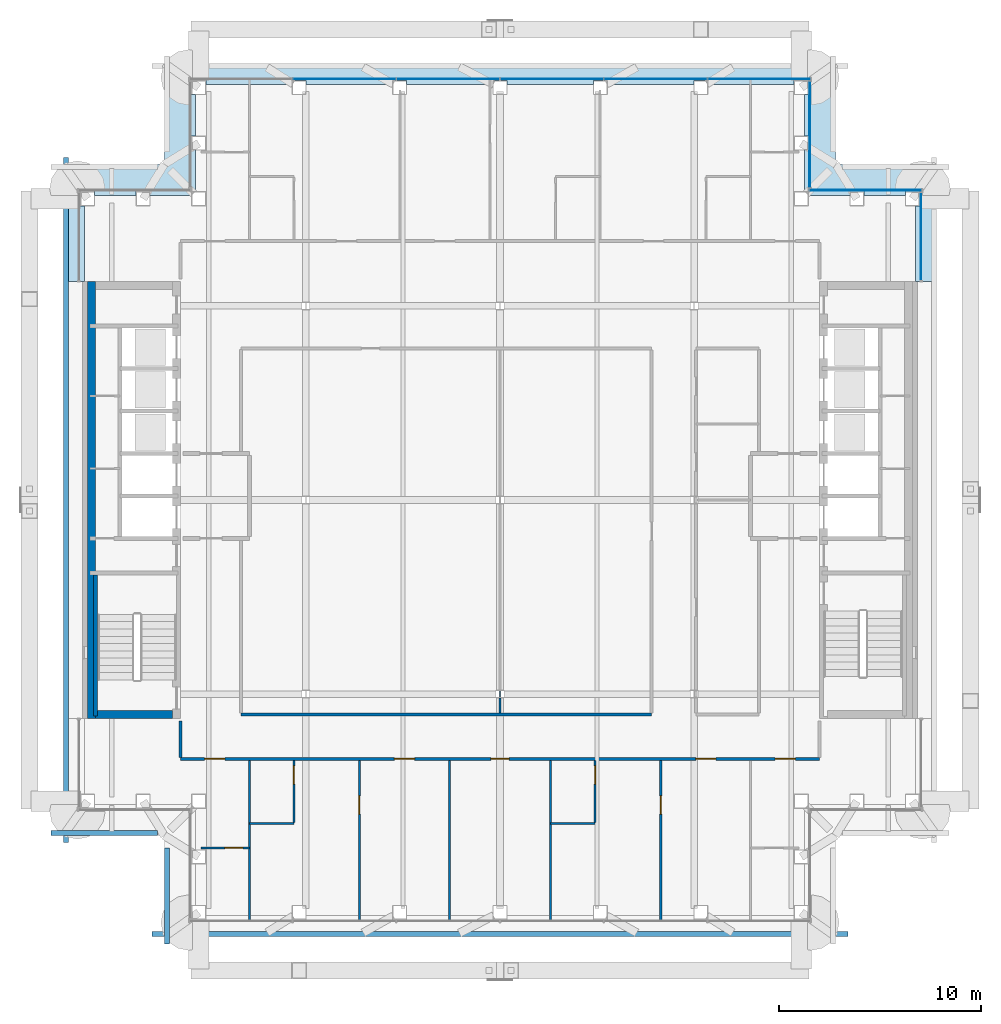
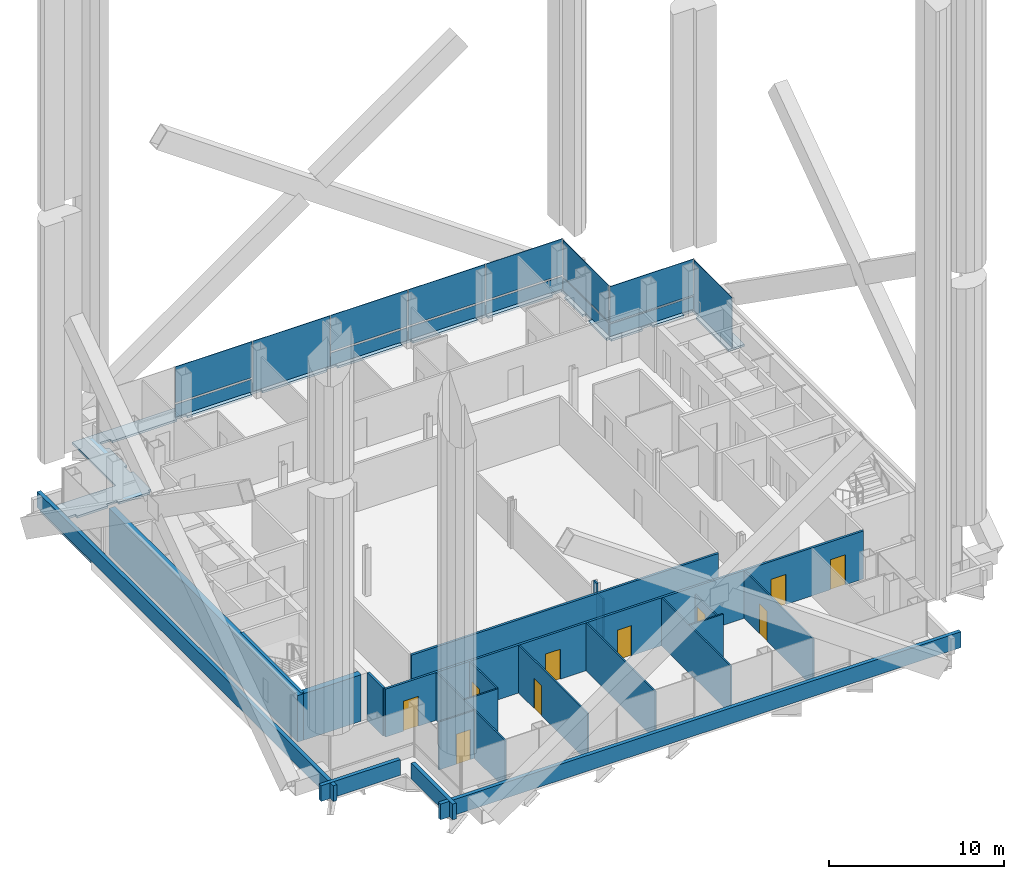
# One storey, part 13 of 22: 22 walls, 14 plates, 10 doors, 1 slab, 10 openings, 4 elements without a shape of their own.
"""IFC4 building model written with IfcOpenShell, lengths in metres."""

from ifc_helpers import new_model, si_unit, direction, frame, frame_2d, origin, origin_2d, place, context, subcontext, project, spatial, polyline, rectangle, outline, extrude, material, layer, layer_set, type_object, element, fill, aggregate, save


model = new_model("IFC4")

# Units and contexts
model_context = context("Model", 3, precision=1e-05, world=origin(), true_north=direction((0.0, 1.0)))
body_context = subcontext(model_context, "Body", "Model", "MODEL_VIEW")
ifc_project = project(units=[si_unit("LENGTHUNIT", "METRE"), si_unit("AREAUNIT", "SQUARE_METRE"), si_unit("VOLUMEUNIT", "CUBIC_METRE"), si_unit("PLANEANGLEUNIT", "RADIAN"), si_unit("MASSUNIT", "GRAM", prefix="KILO")], contexts=[model_context])

# Site, building, storey
site_placement = place(None, origin())
site = spatial("IfcSite", under=ifc_project, at=site_placement, CompositionType="ELEMENT")
building_placement = place(site_placement, origin())
building = spatial("IfcBuilding", under=site, at=building_placement, Name="Cobrizo Arcos Hotel Tower", CompositionType="ELEMENT")
storey_placement = place(building_placement, frame((0.0, 0.0, 191.0)))
storey = spatial("IfcBuildingStorey", under=building, at=storey_placement, Name="L49", CompositionType="ELEMENT", Elevation=191.0)

# Curtain wall, plate
ifc_material_1 = material(Name="Aluminium 6063-T6 anodised bronze", Category="aluminium")
curtain_wall_type = type_object("IfcCurtainWallType", Name="CW-A guest facade", PredefinedType="NOTDEFINED", material=ifc_material_1)
curtain_wall_1_placement = place(storey_placement, origin())
curtain_wall_1 = element("IfcCurtainWall", 1, at=curtain_wall_1_placement, inside=storey, type_object=curtain_wall_type, Name="CW-A L49 N face", PredefinedType="NOTDEFINED")
ifc_material_2 = material(Name="Glass clear laminated low-e", Category="glass")
ifc_layer_1 = layer(ifc_material_2, 0.0400390625)
ifc_layer_set_1 = layer_set([ifc_layer_1], Name="CW-A glass panel")
plate_type_1 = type_object("IfcPlateType", Name="CW-A glass panel", PredefinedType="CURTAIN_PANEL", material=ifc_layer_set_1)
plate_1_placement = place(storey_placement, frame((18.074951171875, 15.324951171875, 0.990234375), z_axis=(0.0, 0.0, 1.0), x_axis=(-1.0, 0.0, 0.0)))
plate_1 = element("IfcPlate", 2, at=plate_1_placement, type_object=plate_type_1, Name="CW-A glass panel 1706", PredefinedType="CURTAIN_PANEL", context=body_context, shape_type="SweptSolid", body=[
    extrude(rectangle(XDim=5.530029296875, YDim=0.0400390625, at=origin_2d()), origin(), (0.0, 0.0, 1.0), 2.510009765625),
])

curtain_wall_2_placement = place(storey_placement, origin())
curtain_wall_2 = element("IfcCurtainWall", 3, at=curtain_wall_2_placement, inside=storey, type_object=curtain_wall_type, Name="CW-A L49 E face", PredefinedType="NOTDEFINED")
plate_2_placement = place(storey_placement, frame((15.324951171875, 18.074951171875, 0.990234375), z_axis=(0.0, 0.0, 1.0), x_axis=(0.0, 1.0, 0.0)))
plate_2 = element("IfcPlate", 4, at=plate_2_placement, type_object=plate_type_1, Name="CW-A glass panel 1707", PredefinedType="CURTAIN_PANEL", context=body_context, shape_type="SweptSolid", body=[
    extrude(rectangle(XDim=5.22998046875, YDim=0.0400390625, at=origin_2d()), origin(), (0.0, 0.0, 1.0), 2.510009765625),
])

# Curtain wall, plates
curtain_wall_3_placement = place(storey_placement, origin())
curtain_wall_3 = element("IfcCurtainWall", 5, at=curtain_wall_3_placement, inside=storey, type_object=curtain_wall_type, Name="CW-A L49 N face", PredefinedType="NOTDEFINED")
plate_3_placement = place(storey_placement, frame((12.818359375, 20.824951171875, 0.990234375), z_axis=(0.0, 0.0, 1.0), x_axis=(-1.0, 0.0, 0.0)))
plate_3 = element("IfcPlate", 6, at=plate_3_placement, type_object=plate_type_1, Name="CW-A glass panel 1708", PredefinedType="CURTAIN_PANEL", context=body_context, shape_type="SweptSolid", body=[
    extrude(rectangle(XDim=5.043212890625, YDim=0.0400390625, at=origin_2d()), origin(), (0.0, 0.0, 1.0), 2.510009765625),
])
plate_4_placement = place(storey_placement, frame((7.699951171875, 20.824951171875, 0.990234375), z_axis=(0.0, 0.0, 1.0), x_axis=(-1.0, 0.0, 0.0)))
plate_4 = element("IfcPlate", 7, at=plate_4_placement, type_object=plate_type_1, Name="CW-A glass panel 1709", PredefinedType="CURTAIN_PANEL", context=body_context, shape_type="SweptSolid", body=[
    extrude(rectangle(XDim=5.0732421875, YDim=0.0400390625, at=origin_2d()), origin(), (0.0, 0.0, 1.0), 2.510009765625),
])
plate_5_placement = place(storey_placement, frame((2.566650390625, 20.824951171875, 0.990234375), z_axis=(0.0, 0.0, 1.0), x_axis=(-1.0, 0.0, 0.0)))
plate_5 = element("IfcPlate", 8, at=plate_5_placement, type_object=plate_type_1, Name="CW-A glass panel 1710", PredefinedType="CURTAIN_PANEL", context=body_context, shape_type="SweptSolid", body=[
    extrude(rectangle(XDim=5.0732421875, YDim=0.0400390625, at=origin_2d()), origin(), (0.0, 0.0, 1.0), 2.510009765625),
])
plate_6_placement = place(storey_placement, frame((-7.699951171875, 20.824951171875, 0.990234375), z_axis=(0.0, 0.0, 1.0), x_axis=(-1.0, 0.0, 0.0)))
plate_6 = element("IfcPlate", 9, at=plate_6_placement, type_object=plate_type_1, Name="CW-A glass panel 1712", PredefinedType="CURTAIN_PANEL", context=body_context, shape_type="SweptSolid", body=[
    extrude(rectangle(XDim=5.0732421875, YDim=0.0400390625, at=origin_2d()), origin(), (0.0, 0.0, 1.0), 2.510009765625),
])

# Curtain wall, plate
curtain_wall_4_placement = place(storey_placement, origin())
curtain_wall_4 = element("IfcCurtainWall", 10, at=curtain_wall_4_placement, inside=storey, type_object=curtain_wall_type, Name="CW-A L49 E face", PredefinedType="NOTDEFINED")
ifc_material_3 = material(Name="Aluminium composite panel pale metal", Category="aluminium")
ifc_layer_2 = layer(ifc_material_3, 0.0400390625)
ifc_layer_set_2 = layer_set([ifc_layer_2], Name="CW-A spandrel panel")
plate_type_2 = type_object("IfcPlateType", Name="CW-A spandrel panel", PredefinedType="CURTAIN_PANEL", material=ifc_layer_set_2)
plate_7_placement = place(storey_placement, frame((20.824951171875, 13.02490234375, 0.0), z_axis=(0.0, 0.0, 1.0), x_axis=(0.0, 1.0, 0.0)))
plate_7 = element("IfcPlate", 11, at=plate_7_placement, type_object=plate_type_2, Name="CW-A spandrel panel 1705", PredefinedType="CURTAIN_PANEL", context=body_context, shape_type="SweptSolid", body=[
    extrude(rectangle(XDim=4.330078125, YDim=0.0400390625, at=origin_2d()), origin(), (0.0, 0.0, 1.0), 3.5),
])
aggregate(curtain_wall_4, [plate_7])

# Plate
plate_8_placement = place(storey_placement, frame((18.074951171875, 15.324951171875, 0.0), z_axis=(0.0, 0.0, 1.0), x_axis=(-1.0, 0.0, 0.0)))
plate_8 = element("IfcPlate", 12, at=plate_8_placement, type_object=plate_type_2, Name="CW-A spandrel panel 1706", PredefinedType="CURTAIN_PANEL", context=body_context, shape_type="SweptSolid", body=[
    extrude(rectangle(XDim=5.530029296875, YDim=0.0400390625, at=origin_2d()), origin(), (0.0, 0.0, 1.0), 0.8701171875),
])

aggregate(curtain_wall_1, [plate_8, plate_1])

plate_9_placement = place(storey_placement, frame((15.324951171875, 18.074951171875, 0.0), z_axis=(0.0, 0.0, 1.0), x_axis=(0.0, 1.0, 0.0)))
plate_9 = element("IfcPlate", 13, at=plate_9_placement, type_object=plate_type_2, Name="CW-A spandrel panel 1707", PredefinedType="CURTAIN_PANEL", context=body_context, shape_type="SweptSolid", body=[
    extrude(rectangle(XDim=5.22998046875, YDim=0.0400390625, at=origin_2d()), origin(), (0.0, 0.0, 1.0), 0.8701171875),
])

aggregate(curtain_wall_2, [plate_9, plate_2])

plate_10_placement = place(storey_placement, frame((12.818359375, 20.824951171875, 0.0), z_axis=(0.0, 0.0, 1.0), x_axis=(-1.0, 0.0, 0.0)))
plate_10 = element("IfcPlate", 14, at=plate_10_placement, type_object=plate_type_2, Name="CW-A spandrel panel 1708", PredefinedType="CURTAIN_PANEL", context=body_context, shape_type="SweptSolid", body=[
    extrude(rectangle(XDim=5.043212890625, YDim=0.0400390625, at=origin_2d()), origin(), (0.0, 0.0, 1.0), 0.8701171875),
])

plate_11_placement = place(storey_placement, frame((7.699951171875, 20.824951171875, 0.0), z_axis=(0.0, 0.0, 1.0), x_axis=(-1.0, 0.0, 0.0)))
plate_11 = element("IfcPlate", 15, at=plate_11_placement, type_object=plate_type_2, Name="CW-A spandrel panel 1709", PredefinedType="CURTAIN_PANEL", context=body_context, shape_type="SweptSolid", body=[
    extrude(rectangle(XDim=5.0732421875, YDim=0.0400390625, at=origin_2d()), origin(), (0.0, 0.0, 1.0), 0.8701171875),
])

plate_12_placement = place(storey_placement, frame((2.566650390625, 20.824951171875, 0.0), z_axis=(0.0, 0.0, 1.0), x_axis=(-1.0, 0.0, 0.0)))
plate_12 = element("IfcPlate", 16, at=plate_12_placement, type_object=plate_type_2, Name="CW-A spandrel panel 1710", PredefinedType="CURTAIN_PANEL", context=body_context, shape_type="SweptSolid", body=[
    extrude(rectangle(XDim=5.0732421875, YDim=0.0400390625, at=origin_2d()), origin(), (0.0, 0.0, 1.0), 0.8701171875),
])

plate_13_placement = place(storey_placement, frame((-2.566650390625, 20.824951171875, 0.0), z_axis=(0.0, 0.0, 1.0), x_axis=(-1.0, 0.0, 0.0)))
plate_13 = element("IfcPlate", 17, at=plate_13_placement, type_object=plate_type_2, Name="CW-A spandrel panel 1711", PredefinedType="CURTAIN_PANEL", context=body_context, shape_type="SweptSolid", body=[
    extrude(rectangle(XDim=5.0732421875, YDim=0.0400390625, at=origin_2d()), origin(), (0.0, 0.0, 1.0), 3.5),
])

plate_14_placement = place(storey_placement, frame((-7.699951171875, 20.824951171875, 0.0), z_axis=(0.0, 0.0, 1.0), x_axis=(-1.0, 0.0, 0.0)))
plate_14 = element("IfcPlate", 18, at=plate_14_placement, type_object=plate_type_2, Name="CW-A spandrel panel 1712", PredefinedType="CURTAIN_PANEL", context=body_context, shape_type="SweptSolid", body=[
    extrude(rectangle(XDim=5.0732421875, YDim=0.0400390625, at=origin_2d()), origin(), (0.0, 0.0, 1.0), 0.8701171875),
])

aggregate(curtain_wall_3, [plate_10, plate_3, plate_11, plate_4, plate_12, plate_5, plate_13, plate_14, plate_6])

# Slab
ifc_material_4 = material(Name="Concrete f'c 35 MPa", Category="concrete")
ifc_layer_3 = layer(ifc_material_4, 0.14990234375)
ifc_layer_set_3 = layer_set([ifc_layer_3], Name="RC roof slab 150 f'c 35")
slab_type = type_object("IfcSlabType", Name="RC roof slab 150 f'c 35", PredefinedType="ROOF", material=ifc_layer_set_3)
slab_placement = place(storey_placement, frame((0.0, 0.0, -0.14990234375)))
element("IfcSlab", 19, at=slab_placement, inside=storey, type_object=slab_type, Name="Roof slab RS5, L49, no. 02", PredefinedType="ROOF", context=body_context, shape_type="SweptSolid", body=[
    extrude(outline(polyline([(-21.60009765625, 16.60009765625), (-16.60009765625, 16.60009765625), (-16.60009765625, 21.60009765625), (16.60009765625, 21.60009765625), (16.60009765625, 16.60009765625), (21.60009765625, 16.60009765625), (21.60009765625, 10.800048828125), (20.550048828125, 10.800048828125), (20.550048828125, 14.550048828125), (20.75, 14.550048828125), (20.75, 15.25), (20.050048828125, 15.25), (20.050048828125, 15.050048828125), (18.0, 15.050048828125), (18.0, 15.25), (17.300048828125, 15.25), (17.300048828125, 15.050048828125), (15.25, 15.050048828125), (15.25, 15.25), (15.050048828125, 15.25), (15.050048828125, 17.300048828125), (15.25, 17.300048828125), (15.25, 18.0), (15.050048828125, 18.0), (15.050048828125, 20.050048828125), (15.25, 20.050048828125), (15.25, 20.75), (14.550048828125, 20.75), (14.550048828125, 20.550048828125), (10.282958984375, 20.550048828125), (10.282958984375, 20.75), (9.5830078125, 20.75), (9.5830078125, 20.550048828125), (5.31689453125, 20.550048828125), (5.31689453125, 20.75), (4.616943359375, 20.75), (4.616943359375, 20.550048828125), (0.35009765625, 20.550048828125), (0.35009765625, 20.75), (-0.35009765625, 20.75), (-0.35009765625, 20.550048828125), (-4.616943359375, 20.550048828125), (-4.616943359375, 20.75), (-5.31689453125, 20.75), (-5.31689453125, 20.550048828125), (-9.5830078125, 20.550048828125), (-9.5830078125, 20.75), (-10.282958984375, 20.75), (-10.282958984375, 20.550048828125), (-14.550048828125, 20.550048828125), (-14.550048828125, 20.75), (-15.25, 20.75), (-15.25, 20.050048828125), (-15.050048828125, 20.050048828125), (-15.050048828125, 18.0), (-15.25, 18.0), (-15.25, 17.300048828125), (-15.050048828125, 17.300048828125), (-15.050048828125, 15.25), (-15.25, 15.25), (-15.25, 15.050048828125), (-17.300048828125, 15.050048828125), (-17.300048828125, 15.25), (-18.0, 15.25), (-18.0, 15.050048828125), (-20.050048828125, 15.050048828125), (-20.050048828125, 15.25), (-20.75, 15.25), (-20.75, 14.550048828125), (-20.550048828125, 14.550048828125), (-20.550048828125, 10.800048828125), (-21.60009765625, 10.800048828125), (-21.60009765625, 16.60009765625)])), origin(), (0.0, 0.0, 1.0), 0.14990234375),
])

# Wall, openings, doors
ifc_material_5 = material(Name="Gypsum board partition")
ifc_layer_4 = layer(ifc_material_5, 0.14990234375)
ifc_layer_set_4 = layer_set([ifc_layer_4], Name="Corridor wall EI 60 150")
wall_type_1 = type_object("IfcWallType", Name="Corridor wall EI 60 150", PredefinedType="PARTITIONING", material=ifc_layer_set_4)
wall_1_placement = place(storey_placement, frame((-15.800048828125, -12.800048828125, 0.0), z_axis=(0.0, 0.0, 1.0), x_axis=(1.0, 0.0, 0.0)))
wall_1 = element("IfcWall", 20, at=wall_1_placement, inside=storey, type_object=wall_type_1, Name="Partition 005", PredefinedType="PARTITIONING", context=body_context, shape_type="SweptSolid", body=[
    extrude(rectangle(XDim=31.60009765625, YDim=0.14990234375, at=frame_2d((15.800048828125, 0.0))), origin(), (0.0, 0.0, 1.0), 3.35009765625),
])
opening_1_placement = place(wall_1_placement, frame((10.58203125, 0.0, 0.0)))
opening_1 = element("IfcOpeningElement", 21, at=opening_1_placement, cuts=wall_1, Name="Opening GD-04", PredefinedType="OPENING", context=body_context, shape_type="SweptSolid", body=[
    extrude(rectangle(XDim=1.0, YDim=2.10009765625, at=frame_2d((0.5, 1.050048828125))), frame((0.0, 0.0869140625, 0.0), z_axis=(0.0, -1.0, 0.0), x_axis=(1.0, 0.0, 0.0)), (0.0, 0.0, 1.0), 0.173828125),
])
opening_2_placement = place(wall_1_placement, frame((15.35009765625, 0.0, 0.0)))
opening_2 = element("IfcOpeningElement", 22, at=opening_2_placement, cuts=wall_1, Name="Opening RD-11", PredefinedType="OPENING", context=body_context, shape_type="SweptSolid", body=[
    extrude(rectangle(XDim=0.89990234375, YDim=2.10009765625, at=frame_2d((0.449951171875, 1.050048828125))), frame((0.0, 0.0869140625, 0.0), z_axis=(0.0, -1.0, 0.0), x_axis=(1.0, 0.0, 0.0)), (0.0, 0.0, 1.0), 0.173828125),
])
opening_3_placement = place(wall_1_placement, frame((25.48193359375, 0.0, 0.0)))
opening_3 = element("IfcOpeningElement", 23, at=opening_3_placement, cuts=wall_1, Name="Opening GD-05", PredefinedType="OPENING", context=body_context, shape_type="SweptSolid", body=[
    extrude(rectangle(XDim=1.0, YDim=2.10009765625, at=frame_2d((0.5, 1.050048828125))), frame((0.0, 0.0869140625, 0.0), z_axis=(0.0, -1.0, 0.0), x_axis=(1.0, 0.0, 0.0)), (0.0, 0.0, 1.0), 0.173828125),
])
opening_4_placement = place(wall_1_placement, frame((1.19189453125, 0.0, 0.0)))
opening_4 = element("IfcOpeningElement", 24, at=opening_4_placement, cuts=wall_1, Name="Opening GD-06", PredefinedType="OPENING", context=body_context, shape_type="SweptSolid", body=[
    extrude(rectangle(XDim=1.0, YDim=2.10009765625, at=frame_2d((0.5, 1.050048828125))), frame((0.0, 0.0869140625, 0.0), z_axis=(0.0, -1.0, 0.0), x_axis=(1.0, 0.0, 0.0)), (0.0, 0.0, 1.0), 0.173828125),
])
opening_5_placement = place(wall_1_placement, frame((29.408935546875, 0.0, 0.0)))
opening_5 = element("IfcOpeningElement", 25, at=opening_5_placement, cuts=wall_1, Name="Opening GD-08", PredefinedType="OPENING", context=body_context, shape_type="SweptSolid", body=[
    extrude(rectangle(XDim=1.0, YDim=2.10009765625, at=frame_2d((0.5, 1.050048828125))), frame((0.0, 0.0869140625, 0.0), z_axis=(0.0, -1.0, 0.0), x_axis=(1.0, 0.0, 0.0)), (0.0, 0.0, 1.0), 0.173828125),
])
ifc_material_6 = material(Name="Timber door leaf", Category="wood")
door_type_1 = type_object("IfcDoorType", Name="Guest room door FD30S 1000x2100", OperationType="SINGLE_SWING_LEFT", PredefinedType="DOOR", material=ifc_material_6)
door_1_placement = place(opening_1_placement, origin())
door_1 = element("IfcDoor", 26, at=door_1_placement, inside=storey, type_object=door_type_1, Name="Door GD-04", OperationType="SINGLE_SWING_LEFT", OverallHeight=2.10009765625, OverallWidth=1.0, PredefinedType="DOOR", context=body_context, shape_type="SweptSolid", body=[
    extrude(rectangle(XDim=1.0, YDim=2.10009765625, at=frame_2d((0.5, 1.050048828125))), frame((0.0, 0.02490234375, 0.0), z_axis=(0.0, -1.0, 0.0), x_axis=(1.0, 0.0, 0.0)), (0.0, 0.0, 1.0), 0.050048828125),
])
fill(opening_1, door_1)
door_2_placement = place(opening_3_placement, origin())
door_2 = element("IfcDoor", 27, at=door_2_placement, inside=storey, type_object=door_type_1, Name="Door GD-05", OperationType="SINGLE_SWING_LEFT", OverallHeight=2.10009765625, OverallWidth=1.0, PredefinedType="DOOR", context=body_context, shape_type="SweptSolid", body=[
    extrude(rectangle(XDim=1.0, YDim=2.10009765625, at=frame_2d((0.5, 1.050048828125))), frame((0.0, 0.02490234375, 0.0), z_axis=(0.0, -1.0, 0.0), x_axis=(1.0, 0.0, 0.0)), (0.0, 0.0, 1.0), 0.050048828125),
])
fill(opening_3, door_2)
door_3_placement = place(opening_4_placement, origin())
door_3 = element("IfcDoor", 28, at=door_3_placement, inside=storey, type_object=door_type_1, Name="Door GD-06", OperationType="SINGLE_SWING_LEFT", OverallHeight=2.10009765625, OverallWidth=1.0, PredefinedType="DOOR", context=body_context, shape_type="SweptSolid", body=[
    extrude(rectangle(XDim=1.0, YDim=2.10009765625, at=frame_2d((0.5, 1.050048828125))), frame((0.0, 0.02490234375, 0.0), z_axis=(0.0, -1.0, 0.0), x_axis=(1.0, 0.0, 0.0)), (0.0, 0.0, 1.0), 0.050048828125),
])
fill(opening_4, door_3)
door_4_placement = place(opening_5_placement, origin())
door_4 = element("IfcDoor", 29, at=door_4_placement, inside=storey, type_object=door_type_1, Name="Door GD-08", OperationType="SINGLE_SWING_RIGHT", OverallHeight=2.10009765625, OverallWidth=1.0, PredefinedType="DOOR", context=body_context, shape_type="SweptSolid", body=[
    extrude(rectangle(XDim=1.0, YDim=2.10009765625, at=frame_2d((0.5, 1.050048828125))), frame((0.0, 0.02490234375, 0.0), z_axis=(0.0, -1.0, 0.0), x_axis=(1.0, 0.0, 0.0)), (0.0, 0.0, 1.0), 0.050048828125),
])
fill(opening_5, door_4)
door_type_2 = type_object("IfcDoorType", Name="Room door FD30 900x2100", OperationType="SINGLE_SWING_LEFT", PredefinedType="DOOR", material=ifc_material_6)
door_5_placement = place(opening_2_placement, origin())
door_5 = element("IfcDoor", 30, at=door_5_placement, inside=storey, type_object=door_type_2, Name="Door RD-11", OperationType="SINGLE_SWING_RIGHT", OverallHeight=2.10009765625, OverallWidth=0.89990234375, PredefinedType="DOOR", context=body_context, shape_type="SweptSolid", body=[
    extrude(rectangle(XDim=0.89990234375, YDim=2.10009765625, at=frame_2d((0.449951171875, 1.050048828125))), frame((0.0, 0.02490234375, 0.0), z_axis=(0.0, -1.0, 0.0), x_axis=(1.0, 0.0, 0.0)), (0.0, 0.0, 1.0), 0.050048828125),
])
fill(opening_2, door_5)

# Walls
wall_2_placement = place(storey_placement, frame((-12.800048828125, -10.60009765625, 0.0), z_axis=(0.0, 0.0, 1.0), x_axis=(1.0, 0.0, 0.0)))
element("IfcWall", 31, at=wall_2_placement, inside=storey, type_object=wall_type_1, Name="Partition 006", PredefinedType="PARTITIONING", context=body_context, shape_type="SweptSolid", body=[
    extrude(rectangle(XDim=20.300048828125, YDim=0.14990234375, at=frame_2d((10.14990234375, 0.0))), origin(), (0.0, 0.0, 1.0), 3.35009765625),
])
wall_3_placement = place(storey_placement, frame((-15.800048828125, -12.72509765625, 0.0), z_axis=(0.0, 0.0, 1.0), x_axis=(0.0, 1.0, 0.0)))
element("IfcWall", 32, at=wall_3_placement, inside=storey, type_object=wall_type_1, Name="Partition 042", PredefinedType="PARTITIONING", context=body_context, shape_type="SweptSolid", body=[
    extrude(rectangle(XDim=1.80517578125, YDim=0.14990234375, at=frame_2d((0.902587890625, 0.0))), origin(), (0.0, 0.0, 1.0), 3.35009765625),
])
ifc_layer_5 = layer(ifc_material_3, 0.25)
ifc_layer_set_5 = layer_set([ifc_layer_5], Name="PW-1 parapet wall")
wall_type_2 = type_object("IfcWallType", Name="PW-1 parapet wall", PredefinedType="PARAPET", material=ifc_layer_set_5)
wall_4_placement = place(storey_placement, frame((-17.199951171875, -21.47509765625, 0.0), z_axis=(0.0, 0.0, 1.0), x_axis=(1.0, 0.0, 0.0)))
element("IfcWall", 33, at=wall_4_placement, inside=storey, type_object=wall_type_2, Name="Parapet L48 S", PredefinedType="PARAPET", context=body_context, shape_type="SweptSolid", body=[
    extrude(rectangle(XDim=34.39990234375, YDim=0.25, at=frame_2d((17.199951171875, 0.0))), origin(), (0.0, 0.0, 1.0), 1.10009765625),
])
wall_5_placement = place(storey_placement, frame((-21.47509765625, 16.949951171875, 0.0), z_axis=(0.0, 0.0, 1.0), x_axis=(0.0, -1.0, 0.0)))
element("IfcWall", 34, at=wall_5_placement, inside=storey, type_object=wall_type_2, Name="Parapet L48 W", PredefinedType="PARAPET", context=body_context, shape_type="SweptSolid", body=[
    extrude(rectangle(XDim=33.89990234375, YDim=0.25, at=frame_2d((16.949951171875, 0.0))), origin(), (0.0, 0.0, 1.0), 1.10009765625),
])
wall_6_placement = place(storey_placement, frame((-22.199951171875, -16.47509765625, 0.0), z_axis=(0.0, 0.0, 1.0), x_axis=(1.0, 0.0, 0.0)))
element("IfcWall", 35, at=wall_6_placement, inside=storey, type_object=wall_type_2, Name="Parapet L48 S", PredefinedType="PARAPET", context=body_context, shape_type="SweptSolid", body=[
    extrude(rectangle(XDim=5.25, YDim=0.25, at=frame_2d((2.625, 0.0))), origin(), (0.0, 0.0, 1.0), 1.10009765625),
])
wall_7_placement = place(storey_placement, frame((-16.47509765625, -17.199951171875, 0.0), z_axis=(0.0, 0.0, 1.0), x_axis=(0.0, -1.0, 0.0)))
element("IfcWall", 36, at=wall_7_placement, inside=storey, type_object=wall_type_2, Name="Parapet L48 W", PredefinedType="PARAPET", context=body_context, shape_type="SweptSolid", body=[
    extrude(rectangle(XDim=4.75, YDim=0.25, at=frame_2d((2.375, 0.0))), origin(), (0.0, 0.0, 1.0), 1.10009765625),
])

# Wall, opening, door
ifc_layer_6 = layer(ifc_material_5, 0.10009765625)
ifc_layer_set_6 = layer_set([ifc_layer_6], Name="Partition EI 30 100")
wall_type_3 = type_object("IfcWallType", Name="Partition EI 30 100", PredefinedType="PARTITIONING", material=ifc_layer_set_6)
wall_8_placement = place(storey_placement, frame((-14.780029296875, -17.199951171875, 0.0), z_axis=(0.0, 0.0, 1.0), x_axis=(1.0, 0.0, 0.0)))
wall_8 = element("IfcWall", 37, at=wall_8_placement, inside=storey, type_object=wall_type_3, Name="Partition 001", PredefinedType="PARTITIONING", context=body_context, shape_type="SweptSolid", body=[
    extrude(rectangle(XDim=2.380126953125, YDim=0.10009765625, at=frame_2d((1.18994140625, 0.0))), origin(), (0.0, 0.0, 1.0), 3.35009765625),
])
opening_6_placement = place(wall_8_placement, frame((1.16796875, 0.0, 0.0)))
opening_6 = element("IfcOpeningElement", 38, at=opening_6_placement, cuts=wall_8, Name="Opening ED-06", PredefinedType="OPENING", context=body_context, shape_type="SweptSolid", body=[
    extrude(rectangle(XDim=0.89990234375, YDim=2.10009765625, at=frame_2d((0.449951171875, 1.050048828125))), frame((0.0, 0.06201171875, 0.0), z_axis=(0.0, -1.0, 0.0), x_axis=(1.0, 0.0, 0.0)), (0.0, 0.0, 1.0), 0.1240234375),
])
door_type_3 = type_object("IfcDoorType", Name="En-suite door 900x2100", OperationType="SINGLE_SWING_LEFT", PredefinedType="DOOR", material=ifc_material_6)
door_6_placement = place(opening_6_placement, origin())
door_6 = element("IfcDoor", 39, at=door_6_placement, inside=storey, type_object=door_type_3, Name="Door ED-06", OperationType="SINGLE_SWING_LEFT", OverallHeight=2.10009765625, OverallWidth=0.89990234375, PredefinedType="DOOR", context=body_context, shape_type="SweptSolid", body=[
    extrude(rectangle(XDim=0.89990234375, YDim=2.10009765625, at=frame_2d((0.449951171875, 1.050048828125))), frame((0.0, 0.02490234375, 0.0), z_axis=(0.0, -1.0, 0.0), x_axis=(1.0, 0.0, 0.0)), (0.0, 0.0, 1.0), 0.050048828125),
])
fill(opening_6, door_6)

# Walls
for number, where, z_axis, x_axis, name in (
    (40, (-12.39990234375, -16.0, 0.0), (0.0, 0.0, 1.0), (1.0, 0.0, 0.0), "Partition 003"),
    (41, (2.5, -16.0, 0.0), (0.0, 0.0, 1.0), (1.0, 0.0, 0.0), "Partition 004"),
):
    element("IfcWall", number, at=place(storey_placement, frame(where, z_axis=z_axis, x_axis=x_axis)), inside=storey, type_object=wall_type_3, Name=name, PredefinedType="PARTITIONING", context=body_context, shape_type="SweptSolid", body=[
        extrude(rectangle(XDim=2.199951171875, YDim=0.10009765625, at=frame_2d((1.10009765625, 0.0))), origin(), (0.0, 0.0, 1.0), 3.35009765625),
    ])
wall_9_placement = place(storey_placement, frame((-12.39990234375, -20.780029296875, 0.0), z_axis=(0.0, 0.0, 1.0), x_axis=(0.0, 1.0, 0.0)))
element("IfcWall", 42, at=wall_9_placement, inside=storey, type_object=wall_type_3, Name="Partition 046", PredefinedType="PARTITIONING", context=body_context, shape_type="SweptSolid", body=[
    extrude(rectangle(XDim=7.905029296875, YDim=0.10009765625, at=frame_2d((3.95263671875, 0.0))), origin(), (0.0, 0.0, 1.0), 3.35009765625),
])

# Wall, opening, door
wall_10_placement = place(storey_placement, frame((-10.199951171875, -15.949951171875, 0.0), z_axis=(0.0, 0.0, 1.0), x_axis=(0.0, 1.0, 0.0)))
wall_10 = element("IfcWall", 43, at=wall_10_placement, inside=storey, type_object=wall_type_3, Name="Partition 049", PredefinedType="PARTITIONING", context=body_context, shape_type="SweptSolid", body=[
    extrude(rectangle(XDim=3.074951171875, YDim=0.10009765625, at=frame_2d((1.53759765625, 0.0))), origin(), (0.0, 0.0, 1.0), 3.35009765625),
])
opening_7_placement = place(wall_10_placement, frame((1.89990234375, 0.0, 0.0)))
opening_7 = element("IfcOpeningElement", 44, at=opening_7_placement, cuts=wall_10, Name="Opening ED-04", PredefinedType="OPENING", context=body_context, shape_type="SweptSolid", body=[
    extrude(rectangle(XDim=0.89990234375, YDim=2.10009765625, at=frame_2d((0.449951171875, 1.050048828125))), frame((0.0, 0.06201171875, 0.0), z_axis=(0.0, -1.0, 0.0), x_axis=(1.0, 0.0, 0.0)), (0.0, 0.0, 1.0), 0.1240234375),
])
door_7_placement = place(opening_7_placement, origin())
door_7 = element("IfcDoor", 45, at=door_7_placement, inside=storey, type_object=door_type_3, Name="Door ED-04", OperationType="SINGLE_SWING_RIGHT", OverallHeight=2.10009765625, OverallWidth=0.89990234375, PredefinedType="DOOR", context=body_context, shape_type="SweptSolid", body=[
    extrude(rectangle(XDim=0.89990234375, YDim=2.10009765625, at=frame_2d((0.449951171875, 1.050048828125))), frame((0.0, 0.02490234375, 0.0), z_axis=(0.0, -1.0, 0.0), x_axis=(1.0, 0.0, 0.0)), (0.0, 0.0, 1.0), 0.050048828125),
])
fill(opening_7, door_7)

wall_11_placement = place(storey_placement, frame((-6.949951171875, -20.780029296875, 0.0), z_axis=(0.0, 0.0, 1.0), x_axis=(0.0, 1.0, 0.0)))
wall_11 = element("IfcWall", 46, at=wall_11_placement, inside=storey, type_object=wall_type_3, Name="Partition 051", PredefinedType="PARTITIONING", context=body_context, shape_type="SweptSolid", body=[
    extrude(rectangle(XDim=7.905029296875, YDim=0.10009765625, at=frame_2d((3.95263671875, 0.0))), origin(), (0.0, 0.0, 1.0), 3.35009765625),
])
opening_8_placement = place(wall_11_placement, frame((5.25, 0.0, 0.0)))
opening_8 = element("IfcOpeningElement", 47, at=opening_8_placement, cuts=wall_11, Name="Opening RD-10", PredefinedType="OPENING", context=body_context, shape_type="SweptSolid", body=[
    extrude(rectangle(XDim=0.89990234375, YDim=2.10009765625, at=frame_2d((0.449951171875, 1.050048828125))), frame((0.0, 0.06201171875, 0.0), z_axis=(0.0, -1.0, 0.0), x_axis=(1.0, 0.0, 0.0)), (0.0, 0.0, 1.0), 0.1240234375),
])
door_8_placement = place(opening_8_placement, origin())
door_8 = element("IfcDoor", 48, at=door_8_placement, inside=storey, type_object=door_type_2, Name="Door RD-10", OperationType="SINGLE_SWING_RIGHT", OverallHeight=2.10009765625, OverallWidth=0.89990234375, PredefinedType="DOOR", context=body_context, shape_type="SweptSolid", body=[
    extrude(rectangle(XDim=0.89990234375, YDim=2.10009765625, at=frame_2d((0.449951171875, 1.050048828125))), frame((0.0, 0.02490234375, 0.0), z_axis=(0.0, -1.0, 0.0), x_axis=(1.0, 0.0, 0.0)), (0.0, 0.0, 1.0), 0.050048828125),
])
fill(opening_8, door_8)

# Walls
wall_12_placement = place(storey_placement, frame((-2.5, -20.780029296875, 0.0), z_axis=(0.0, 0.0, 1.0), x_axis=(0.0, 1.0, 0.0)))
element("IfcWall", 49, at=wall_12_placement, inside=storey, type_object=wall_type_3, Name="Partition 053", PredefinedType="PARTITIONING", context=body_context, shape_type="SweptSolid", body=[
    extrude(rectangle(XDim=7.905029296875, YDim=0.10009765625, at=frame_2d((3.95263671875, 0.0))), origin(), (0.0, 0.0, 1.0), 3.35009765625),
])
wall_13_placement = place(storey_placement, frame((0.0, -10.52490234375, 0.0), z_axis=(0.0, 0.0, 1.0), x_axis=(0.0, 1.0, 0.0)))
element("IfcWall", 50, at=wall_13_placement, inside=storey, type_object=wall_type_3, Name="Partition 055", PredefinedType="PARTITIONING", context=body_context, shape_type="SweptSolid", body=[
    extrude(rectangle(XDim=0.73779296875, YDim=0.10009765625, at=frame_2d((0.368896484375, 0.0))), origin(), (0.0, 0.0, 1.0), 2.72802734375),
])
wall_14_placement = place(storey_placement, frame((0.0, -9.787109375, 0.0), z_axis=(0.0, 0.0, 1.0), x_axis=(0.0, 1.0, 0.0)))
element("IfcWall", 51, at=wall_14_placement, inside=storey, type_object=wall_type_3, Name="Partition 056", PredefinedType="PARTITIONING", context=body_context, shape_type="SweptSolid", body=[
    extrude(rectangle(XDim=0.3740234375, YDim=0.10009765625, at=frame_2d((0.18701171875, 0.0))), origin(), (0.0, 0.0, 1.0), 3.35009765625),
])
wall_15_placement = place(storey_placement, frame((2.5, -20.780029296875, 0.0), z_axis=(0.0, 0.0, 1.0), x_axis=(0.0, 1.0, 0.0)))
element("IfcWall", 52, at=wall_15_placement, inside=storey, type_object=wall_type_3, Name="Partition 060", PredefinedType="PARTITIONING", context=body_context, shape_type="SweptSolid", body=[
    extrude(rectangle(XDim=7.905029296875, YDim=0.10009765625, at=frame_2d((3.95263671875, 0.0))), origin(), (0.0, 0.0, 1.0), 3.35009765625),
])

# Wall, opening, door
wall_16_placement = place(storey_placement, frame((4.699951171875, -15.949951171875, 0.0), z_axis=(0.0, 0.0, 1.0), x_axis=(0.0, 1.0, 0.0)))
wall_16 = element("IfcWall", 53, at=wall_16_placement, inside=storey, type_object=wall_type_3, Name="Partition 062", PredefinedType="PARTITIONING", context=body_context, shape_type="SweptSolid", body=[
    extrude(rectangle(XDim=3.074951171875, YDim=0.10009765625, at=frame_2d((1.53759765625, 0.0))), origin(), (0.0, 0.0, 1.0), 2.81689453125),
])
opening_9_placement = place(wall_16_placement, frame((1.89990234375, 0.0, 0.0)))
opening_9 = element("IfcOpeningElement", 54, at=opening_9_placement, cuts=wall_16, Name="Opening ED-05", PredefinedType="OPENING", context=body_context, shape_type="SweptSolid", body=[
    extrude(rectangle(XDim=0.89990234375, YDim=2.10009765625, at=frame_2d((0.449951171875, 1.050048828125))), frame((0.0, 0.06201171875, 0.0), z_axis=(0.0, -1.0, 0.0), x_axis=(1.0, 0.0, 0.0)), (0.0, 0.0, 1.0), 0.1240234375),
])
door_9_placement = place(opening_9_placement, origin())
door_9 = element("IfcDoor", 55, at=door_9_placement, inside=storey, type_object=door_type_3, Name="Door ED-05", OperationType="SINGLE_SWING_RIGHT", OverallHeight=2.10009765625, OverallWidth=0.89990234375, PredefinedType="DOOR", context=body_context, shape_type="SweptSolid", body=[
    extrude(rectangle(XDim=0.89990234375, YDim=2.10009765625, at=frame_2d((0.449951171875, 1.050048828125))), frame((0.0, 0.02490234375, 0.0), z_axis=(0.0, -1.0, 0.0), x_axis=(1.0, 0.0, 0.0)), (0.0, 0.0, 1.0), 0.050048828125),
])
fill(opening_9, door_9)

wall_17_placement = place(storey_placement, frame((7.949951171875, -20.780029296875, 0.0), z_axis=(0.0, 0.0, 1.0), x_axis=(0.0, 1.0, 0.0)))
wall_17 = element("IfcWall", 56, at=wall_17_placement, inside=storey, type_object=wall_type_3, Name="Partition 065", PredefinedType="PARTITIONING", context=body_context, shape_type="SweptSolid", body=[
    extrude(rectangle(XDim=7.905029296875, YDim=0.10009765625, at=frame_2d((3.95263671875, 0.0))), origin(), (0.0, 0.0, 1.0), 3.35009765625),
])
opening_10_placement = place(wall_17_placement, frame((5.25, 0.0, 0.0)))
opening_10 = element("IfcOpeningElement", 57, at=opening_10_placement, cuts=wall_17, Name="Opening RD-12", PredefinedType="OPENING", context=body_context, shape_type="SweptSolid", body=[
    extrude(rectangle(XDim=0.89990234375, YDim=2.10009765625, at=frame_2d((0.449951171875, 1.050048828125))), frame((0.0, 0.06201171875, 0.0), z_axis=(0.0, -1.0, 0.0), x_axis=(1.0, 0.0, 0.0)), (0.0, 0.0, 1.0), 0.1240234375),
])
door_10_placement = place(opening_10_placement, origin())
door_10 = element("IfcDoor", 58, at=door_10_placement, inside=storey, type_object=door_type_2, Name="Door RD-12", OperationType="SINGLE_SWING_RIGHT", OverallHeight=2.10009765625, OverallWidth=0.89990234375, PredefinedType="DOOR", context=body_context, shape_type="SweptSolid", body=[
    extrude(rectangle(XDim=0.89990234375, YDim=2.10009765625, at=frame_2d((0.449951171875, 1.050048828125))), frame((0.0, 0.02490234375, 0.0), z_axis=(0.0, -1.0, 0.0), x_axis=(1.0, 0.0, 0.0)), (0.0, 0.0, 1.0), 0.050048828125),
])
fill(opening_10, door_10)

# Walls
ifc_material_7 = material(Name="Concrete f'c 40 MPa", Category="concrete")
ifc_layer_7 = layer(ifc_material_7, 0.39990234375)
ifc_layer_set_7 = layer_set([ifc_layer_7], Name="RC core wall 400 f'c 40")
wall_type_4 = type_object("IfcWallType", Name="RC core wall 400 f'c 40", PredefinedType="SHEAR", material=ifc_layer_set_7)
wall_18_placement = place(storey_placement, frame((-20.199951171875, -10.800048828125, 0.0), z_axis=(0.0, 0.0, 1.0), x_axis=(0.0, 1.0, 0.0)))
element("IfcWall", 59, at=wall_18_placement, inside=storey, type_object=wall_type_4, Name="Core wall CW4, west core, outer face, L49", PredefinedType="SHEAR", context=body_context, shape_type="SweptSolid", body=[
    extrude(rectangle(XDim=21.60009765625, YDim=0.39990234375, at=frame_2d((10.800048828125, 0.0))), origin(), (0.0, 0.0, 1.0), 3.25),
])
wall_19_placement = place(storey_placement, frame((-20.0, -10.60009765625, 0.0), z_axis=(0.0, 0.0, 1.0), x_axis=(1.0, 0.0, 0.0)))
element("IfcWall", 60, at=wall_19_placement, inside=storey, type_object=wall_type_4, Name="Core wall CW4, west core, south end, L49", PredefinedType="SHEAR", context=body_context, shape_type="SweptSolid", body=[
    extrude(rectangle(XDim=3.800048828125, YDim=0.39990234375, at=frame_2d((1.89990234375, 0.0))), origin(), (0.0, 0.0, 1.0), 3.25),
])
ifc_layer_8 = layer(ifc_material_7, 0.199951171875)
ifc_layer_set_8 = layer_set([ifc_layer_8], Name="Stair shaft wall 200")
wall_type_5 = type_object("IfcWallType", Name="Stair shaft wall 200", PredefinedType="SHEAR", material=ifc_layer_set_8)
wall_20_placement = place(storey_placement, frame((-20.0, -10.679931640625, 0.0), z_axis=(0.0, 0.0, 1.0), x_axis=(0.0, 1.0, 0.0)))
element("IfcWall", 61, at=wall_20_placement, inside=storey, type_object=wall_type_5, Name="Stair shaft wall W", PredefinedType="SHEAR", context=body_context, shape_type="SweptSolid", body=[
    extrude(rectangle(XDim=6.97998046875, YDim=0.199951171875, at=frame_2d((3.489990234375, 0.0))), origin(), (0.0, 0.0, 1.0), 3.25),
])

save(model, "model.ifc")
